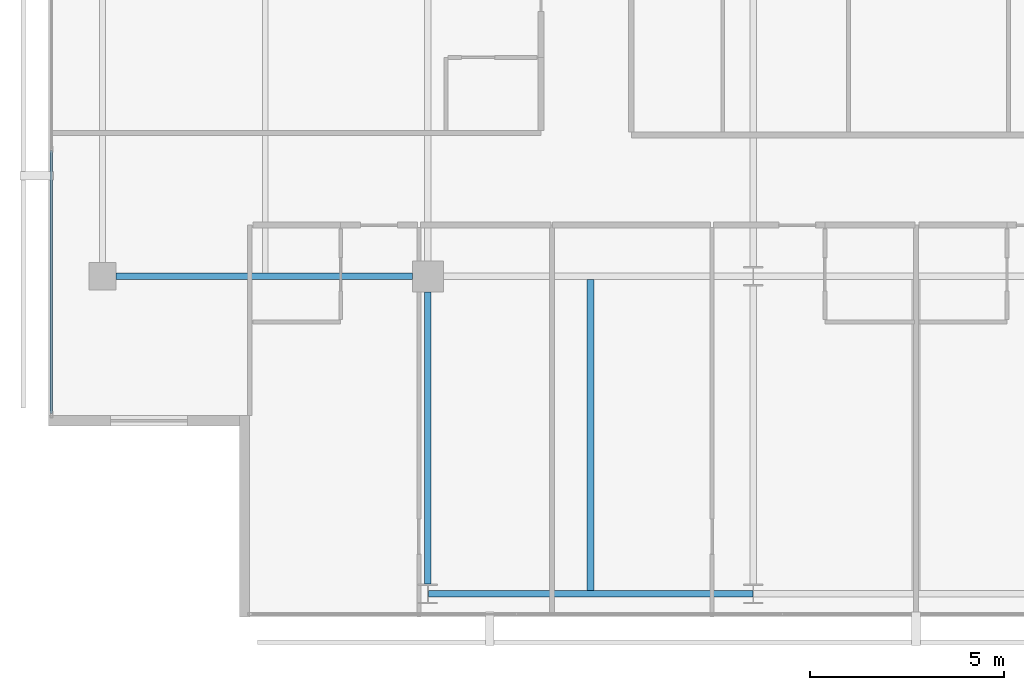
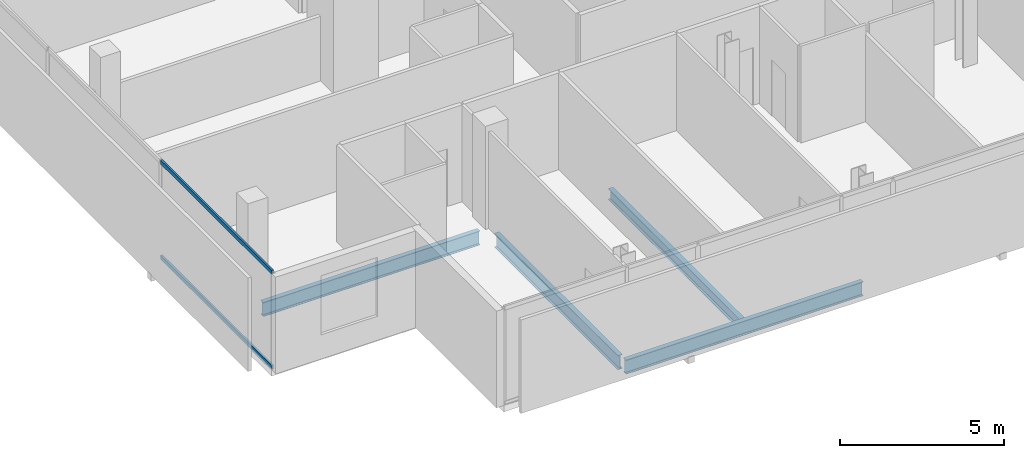
# One storey, part 3 of 25: 4 beams, 2 members, 1 element without a shape of its own.
"""IFC4 building model written with IfcOpenShell, lengths in metres."""

from ifc_helpers import new_model, si_unit, direction, frame, origin, origin_2d, place, context, subcontext, project, spatial, hollow_rectangle, i_section, extrude, material, layer, layer_set, material_profile, profile_set, type_object, element, aggregate, save


model = new_model("IFC4")

# Units and contexts
model_context = context("Model", 3, precision=1e-05, world=origin(), true_north=direction((0.0, 1.0)))
body_context = subcontext(model_context, "Body", "Model", "MODEL_VIEW")
ifc_project = project(units=[si_unit("LENGTHUNIT", "METRE"), si_unit("AREAUNIT", "SQUARE_METRE"), si_unit("VOLUMEUNIT", "CUBIC_METRE"), si_unit("PLANEANGLEUNIT", "RADIAN"), si_unit("MASSUNIT", "GRAM", prefix="KILO")], contexts=[model_context])

# Site, building, storey
site_placement = place(None, origin())
site = spatial("IfcSite", under=ifc_project, at=site_placement, CompositionType="ELEMENT")
building_placement = place(site_placement, origin())
building = spatial("IfcBuilding", under=site, at=building_placement, Name="Maruvema Waterfront Hotel and Observation Tower", CompositionType="ELEMENT")
storey_placement = place(building_placement, frame((0.0, 0.0, 308.699951171875)))
storey = spatial("IfcBuildingStorey", under=building, at=storey_placement, Name="L76", CompositionType="ELEMENT", Elevation=308.699951171875)

# Curtain wall, members
ifc_material_1 = material(Name="Anodised bronze aluminium and solar-control low-E IGU", Category="aluminium")
ifc_layer = layer(ifc_material_1, 0.159912109375, Name="Zone 3 Champagne Inner Thermal Curtain Wall System CW-04")
ifc_layer_set = layer_set([ifc_layer], Name="Anodised bronze aluminium and solar-control low-E IGU")
curtain_wall_type = type_object("IfcCurtainWallType", Name="Zone 3 Champagne Inner Thermal Curtain Wall System CW-04", PredefinedType="USERDEFINED", material=ifc_layer_set)
curtain_wall_placement = place(storey_placement, origin())
curtain_wall = element("IfcCurtainWall", 1, at=curtain_wall_placement, inside=storey, type_object=curtain_wall_type, Name="L76 Curtain Wall CW-L76-W", ObjectType="UNITISED CURTAIN WALL", PredefinedType="USERDEFINED")
ifc_material_2 = material(Name="Anodised architectural bronze aluminium", Category="aluminium")
ifc_material_profile_1 = material_profile(ifc_material_2, hollow_rectangle(XDim=0.070068359375, YDim=0.14990234375, WallThickness=0.00390625, at=origin_2d()), Name="ALU-T70x150")
ifc_profile_set_1 = profile_set([ifc_material_profile_1], Name="Anodised architectural bronze aluminium")
member_type = type_object("IfcMemberType", Name="Curtain Wall Horizontal Transom ALU-T70x150", PredefinedType="USERDEFINED", material=ifc_profile_set_1)
member_1_placement = place(storey_placement, frame((15.47998046875, 21.25, 0.030029296875), z_axis=(0.0, -1.0, 0.0), x_axis=(1.0, 0.0, 0.0)))
member_1 = element("IfcMember", 2, at=member_1_placement, type_object=member_type, Name="CW-04 transom 5.1", ObjectType="TRANSOM", PredefinedType="USERDEFINED", context=body_context, shape_type="SweptSolid", body=[
    extrude(hollow_rectangle(XDim=0.070068359375, YDim=0.14990234375, WallThickness=0.00390625, at=origin_2d()), origin(), (0.0, 0.0, 1.0), 6.7900390625),
])
member_2_placement = place(storey_placement, frame((15.47998046875, 21.25, 3.580078125), z_axis=(0.0, -1.0, 0.0), x_axis=(1.0, 0.0, 0.0)))
member_2 = element("IfcMember", 3, at=member_2_placement, type_object=member_type, Name="CW-04 transom 5.2", ObjectType="TRANSOM", PredefinedType="USERDEFINED", context=body_context, shape_type="SweptSolid", body=[
    extrude(hollow_rectangle(XDim=0.070068359375, YDim=0.14990234375, WallThickness=0.00390625, at=origin_2d()), origin(), (0.0, 0.0, 1.0), 6.7900390625),
])
aggregate(curtain_wall, [member_1, member_2])

# Beams
ifc_material_3 = material(Name="Steel ASTM A572 Grade 50", Category="steel")
ifc_material_profile_2 = material_profile(ifc_material_3, i_section(OverallWidth=0.166015625, OverallDepth=0.529052734375, WebThickness=0.009765625, FlangeThickness=0.013671875, FilletRadius=0.014892578125, at=origin_2d()), Name="W530x74.0")
ifc_profile_set_2 = profile_set([ifc_material_profile_2], Name="Steel ASTM A572 Grade 50")
beam_type_1 = type_object("IfcBeamType", Name="Primary Floor Girder W530x74.0", PredefinedType="BEAM", material=ifc_profile_set_2)
beam_1_placement = place(storey_placement, frame((25.2109375, 9.800048828125, -0.50439453125), z_axis=(1.0, 0.0, 0.0), x_axis=(0.0, 1.0, 0.0)))
element("IfcBeam", 4, at=beam_1_placement, inside=storey, type_object=beam_type_1, Name="L76 Floor Girder EW-01", PredefinedType="BEAM", context=body_context, shape_type="SweptSolid", body=[
    extrude(i_section(OverallWidth=0.166015625, OverallDepth=0.529052734375, WebThickness=0.009765625, FlangeThickness=0.013671875, FilletRadius=0.014892578125, at=origin_2d()), origin(), (0.0, 0.0, 1.0), 8.378173828125),
])
beam_2_placement = place(storey_placement, frame((17.14990234375, 18.0, -0.50439453125), z_axis=(1.0, 0.0, 0.0), x_axis=(0.0, 1.0, 0.0)))
element("IfcBeam", 5, at=beam_2_placement, inside=storey, type_object=beam_type_1, Name="L76 Floor Girder EW-04", PredefinedType="BEAM", context=body_context, shape_type="SweptSolid", body=[
    extrude(i_section(OverallWidth=0.166015625, OverallDepth=0.529052734375, WebThickness=0.009765625, FlangeThickness=0.013671875, FilletRadius=0.014892578125, at=origin_2d()), origin(), (0.0, 0.0, 1.0), 7.650146484375),
])
beam_3_placement = place(storey_placement, frame((25.199951171875, 10.050048828125, -0.50439453125), z_axis=(0.0, 1.0, 0.0), x_axis=(-1.0, 0.0, 0.0)))
element("IfcBeam", 6, at=beam_3_placement, inside=storey, type_object=beam_type_1, Name="L76 Floor Girder NS-04", PredefinedType="BEAM", context=body_context, shape_type="SweptSolid", body=[
    extrude(i_section(OverallWidth=0.166015625, OverallDepth=0.529052734375, WebThickness=0.009765625, FlangeThickness=0.013671875, FilletRadius=0.014892578125, at=origin_2d()), origin(), (0.0, 0.0, 1.0), 7.550048828125),
])
ifc_material_4 = material(Name="Steel ASTM A572 Grade 50", Category="steel")
ifc_material_profile_3 = material_profile(ifc_material_4, i_section(OverallWidth=0.177001953125, OverallDepth=0.403076171875, WebThickness=0.007568359375, FlangeThickness=0.010986328125, FilletRadius=0.014892578125, at=origin_2d()), Name="W410x53.0")
ifc_profile_set_3 = profile_set([ifc_material_profile_3], Name="Steel ASTM A572 Grade 50")
beam_type_2 = type_object("IfcBeamType", Name="Secondary Floor Joist W410x53.0", PredefinedType="JOIST", material=ifc_profile_set_3)
beam_4_placement = place(storey_placement, frame((29.39990234375, 9.883056640625, -0.44140625), z_axis=(0.0, 1.0, 0.0), x_axis=(-1.0, 0.0, 0.0)))
element("IfcBeam", 7, at=beam_4_placement, inside=storey, type_object=beam_type_2, Name="L76 Secondary Floor Joist JS-04", PredefinedType="JOIST", context=body_context, shape_type="SweptSolid", body=[
    extrude(i_section(OverallWidth=0.177001953125, OverallDepth=0.403076171875, WebThickness=0.007568359375, FlangeThickness=0.010986328125, FilletRadius=0.014892578125, at=origin_2d()), origin(), (0.0, 0.0, 1.0), 8.033935546875),
])

save(model, "model.ifc")
